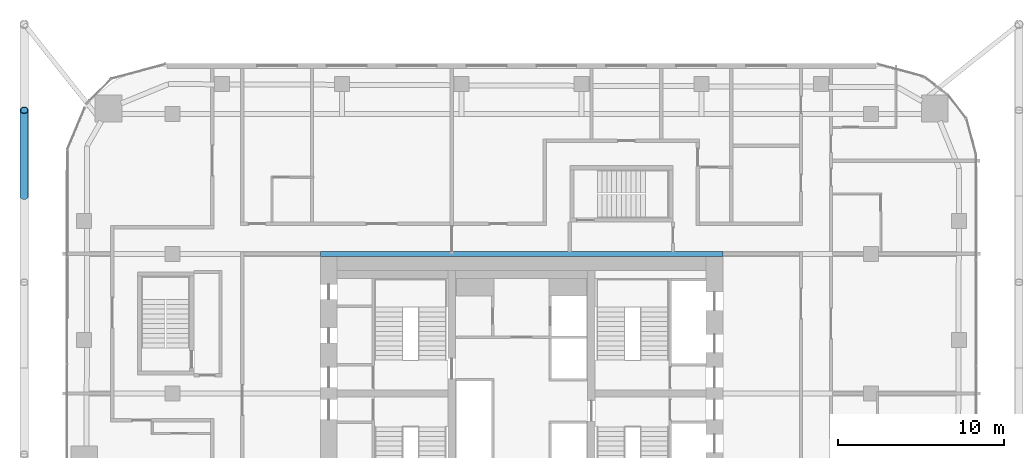
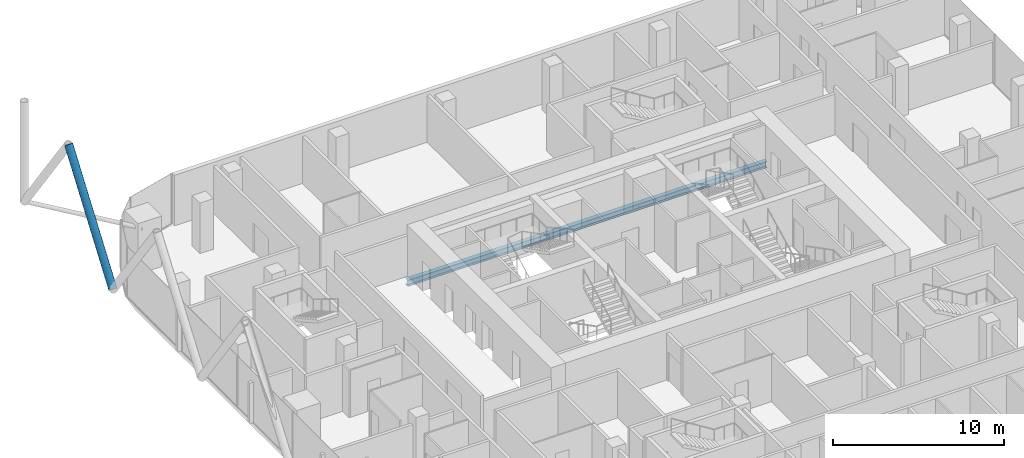
# One storey, part 10 of 33: 1 beam, 1 member.
"""IFC4 building model written with IfcOpenShell, lengths in metres."""

from ifc_helpers import new_model, si_unit, direction, frame, origin, origin_2d, place, context, subcontext, project, spatial, hollow_circle, i_section, extrude, material, material_profile, profile_set, type_object, element, save


model = new_model("IFC4")

# Units and contexts
model_context = context("Model", 3, precision=1e-05, world=origin(), true_north=direction((0.0, 1.0)))
body_context = subcontext(model_context, "Body", "Model", "MODEL_VIEW")
ifc_project = project(units=[si_unit("LENGTHUNIT", "METRE"), si_unit("AREAUNIT", "SQUARE_METRE"), si_unit("VOLUMEUNIT", "CUBIC_METRE"), si_unit("PLANEANGLEUNIT", "RADIAN"), si_unit("MASSUNIT", "GRAM", prefix="KILO")], contexts=[model_context])

# Site, building, storey
site_placement = place(None, origin())
site = spatial("IfcSite", under=ifc_project, at=site_placement, CompositionType="ELEMENT")
building_placement = place(site_placement, origin())
building = spatial("IfcBuilding", under=site, at=building_placement, Name="Marenta Gate Hotel Tower", CompositionType="ELEMENT")
storey_placement = place(building_placement, frame((0.0, 0.0, 151.699951171875)))
storey = spatial("IfcBuildingStorey", under=building, at=storey_placement, Name="L35", CompositionType="ELEMENT", Elevation=151.699951171875)

# Member
ifc_material_1 = material(Name="Steel S355J2W", Category="steel")
ifc_material_profile_1 = material_profile(ifc_material_1, hollow_circle(Radius=0.25390625, WallThickness=0.0400390625, at=origin_2d()), Name="CHS 508x40")
ifc_profile_set_1 = profile_set([ifc_material_profile_1], Name="Steel S355J2W")
member_type = type_object("IfcMemberType", Name="Diagrid diagonal Z2 CHS 508x40", PredefinedType="BRACE", material=ifc_profile_set_1)
member_placement = place(storey_placement, frame((-29.89990234375, 20.260009765625, 3.14013671875), z_axis=(0.0, 0.583260841117, 0.812284919975), x_axis=(-1.0, 0.0, 0.0)))
element("IfcMember", 1, at=member_placement, inside=storey, type_object=member_type, Name="L35-DG-33", PredefinedType="BRACE", context=body_context, shape_type="SweptSolid", body=[
    extrude(hollow_circle(Radius=0.25390625, WallThickness=0.0400390625, at=origin_2d()), origin(), (0.0, 0.0, 1.0), 8.86376953125),
])

# Beam
ifc_material_2 = material(Name="Steel S355", Category="steel")
ifc_material_profile_2 = material_profile(ifc_material_2, i_section(OverallWidth=0.300048828125, OverallDepth=0.449951171875, WebThickness=0.013916015625, FlangeThickness=0.02587890625, FilletRadius=0.027099609375, at=origin_2d()), Name="HEB 450")
ifc_profile_set_2 = profile_set([ifc_material_profile_2], Name="Steel S355")
beam_type = type_object("IfcBeamType", Name="Girder HEB 450", PredefinedType="BEAM", material=ifc_profile_set_2)
beam_placement = place(storey_placement, frame((-12.10009765625, 16.800048828125, -0.48486328125), z_axis=(1.0, 0.0, 0.0), x_axis=(0.0, 1.0, 0.0)))
element("IfcBeam", 2, at=beam_placement, inside=storey, type_object=beam_type, Name="L35-GD-26", PredefinedType="BEAM", context=body_context, shape_type="SweptSolid", body=[
    extrude(i_section(OverallWidth=0.300048828125, OverallDepth=0.449951171875, WebThickness=0.013916015625, FlangeThickness=0.02587890625, FilletRadius=0.027099609375, at=origin_2d()), origin(), (0.0, 0.0, 1.0), 24.2001953125),
])

save(model, "model.ifc")
